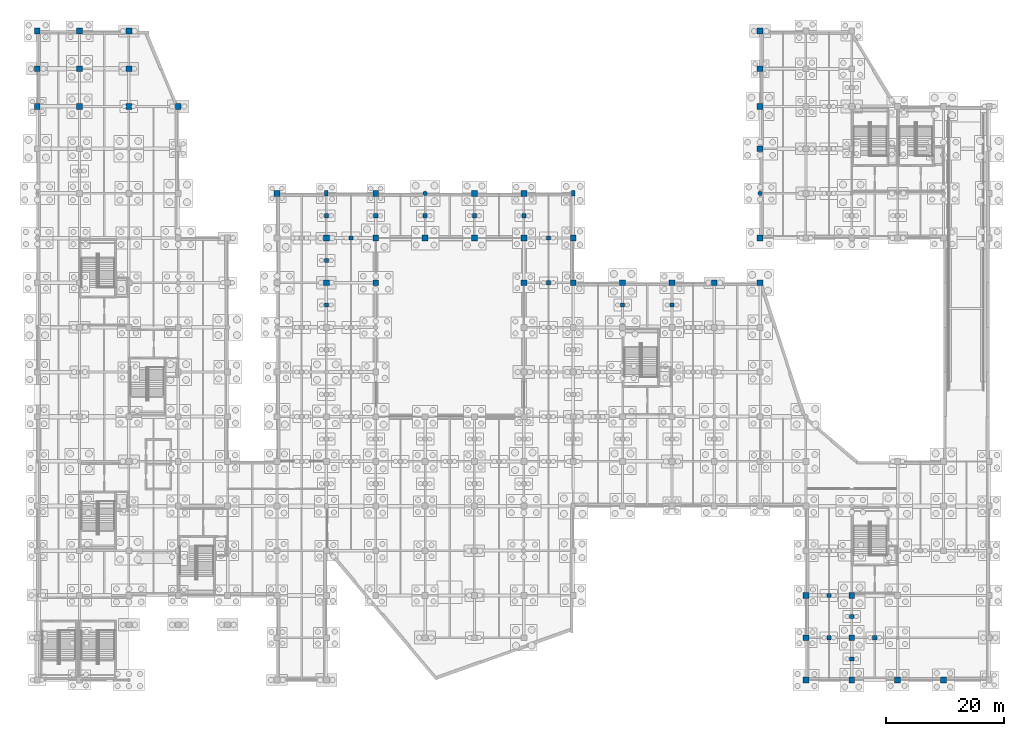
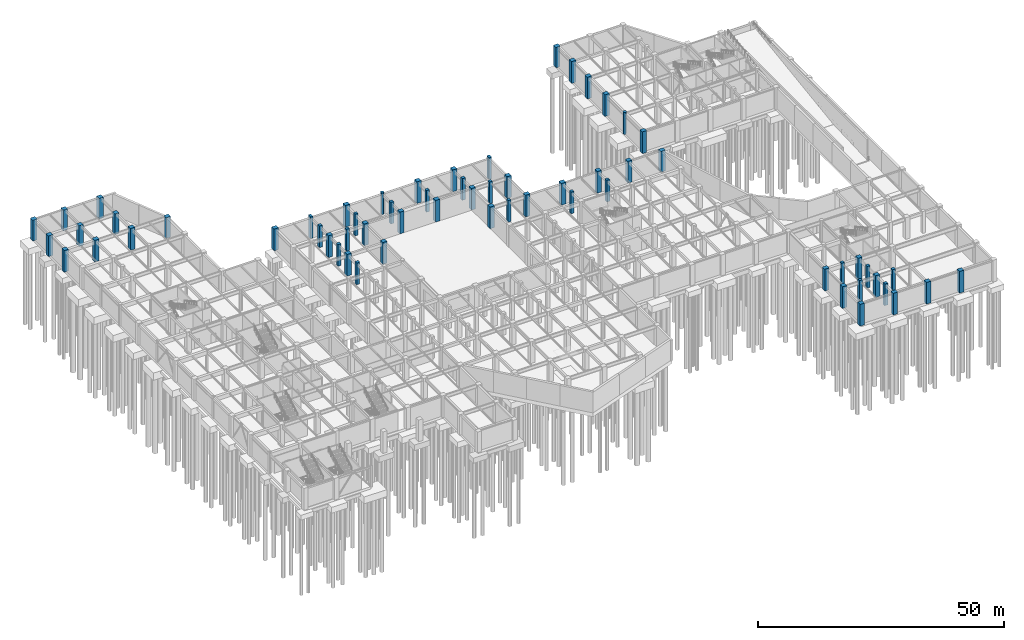
# One storey, part 19 of 52: 62 columns.
"""IFC4 building model written with IfcOpenShell, lengths in metres."""

from ifc_helpers import new_model, si_unit, direction, frame, origin, origin_2d, place, context, subcontext, project, spatial, rectangle, circle, extrude, material, material_profile, profile_set, type_object, element, save


model = new_model("IFC4")

# Units and contexts
model_context = context("Model", 3, precision=1e-05, world=origin(), true_north=direction((0.0, 1.0)))
body_context = subcontext(model_context, "Body", "Model", "MODEL_VIEW")
ifc_project = project(units=[si_unit("LENGTHUNIT", "METRE"), si_unit("AREAUNIT", "SQUARE_METRE"), si_unit("VOLUMEUNIT", "CUBIC_METRE"), si_unit("PLANEANGLEUNIT", "RADIAN"), si_unit("MASSUNIT", "GRAM", prefix="KILO")], contexts=[model_context])

# Site, building, storey
site_placement = place(None, origin())
site = spatial("IfcSite", under=ifc_project, at=site_placement, CompositionType="ELEMENT")
building_placement = place(site_placement, origin())
building = spatial("IfcBuilding", under=site, at=building_placement, Name="Xicomal Pleat Aquarium", CompositionType="ELEMENT")
storey_placement = place(building_placement, frame((0.0, 0.0, -5.39990234375)))
storey = spatial("IfcBuildingStorey", under=building, at=storey_placement, Name="B1", CompositionType="ELEMENT", Elevation=-5.39990234375)

# Columns
ifc_material_1 = material(Name="Concrete C40/50", Category="concrete")
ifc_material_profile_1 = material_profile(ifc_material_1, rectangle(XDim=1.0, YDim=1.0, at=origin_2d()), Name="RC 1000x1000")
ifc_profile_set_1 = profile_set([ifc_material_profile_1], Name="Concrete C40/50")
column_type_1 = type_object("IfcColumnType", Name="COL-RC-1000x1000", PredefinedType="COLUMN", material=ifc_profile_set_1)
column_1_placement = place(storey_placement, frame((3.0, 98.39990234375, 0.0), z_axis=(0.0, 0.0, 1.0), x_axis=(1.0, 0.0, 0.0)))
element("IfcColumn", 1, at=column_1_placement, inside=storey, type_object=column_type_1, Name="B1 column 01/P", PredefinedType="COLUMN", context=body_context, shape_type="SweptSolid", body=[
    extrude(rectangle(XDim=1.0, YDim=1.0, at=origin_2d()), origin(), (0.0, 0.0, 1.0), 5.39990234375),
])
for number, where, z_axis, x_axis, name in (
    (2, (3.0, 104.800048828125, 0.0), (0.0, 0.0, 1.0), (1.0, 0.0, 0.0), "B1 column 01/Q"),
    (3, (3.0, 111.199951171875, 0.0), (0.0, 0.0, 1.0), (1.0, 0.0, 0.0), "B1 column 01/R"),
):
    element("IfcColumn", number, at=place(storey_placement, frame(where, z_axis=z_axis, x_axis=x_axis)), inside=storey, type_object=column_type_1, Name=name, PredefinedType="COLUMN", context=body_context, shape_type="SweptSolid", body=[
        extrude(rectangle(XDim=1.0, YDim=1.0, at=origin_2d()), origin(), (0.0, 0.0, 1.0), 5.139892578125),
    ])
column_2_placement = place(storey_placement, frame((10.199951171875, 98.39990234375, 0.0), z_axis=(0.0, 0.0, 1.0), x_axis=(1.0, 0.0, 0.0)))
element("IfcColumn", 4, at=column_2_placement, inside=storey, type_object=column_type_1, Name="B1 column 02/P", PredefinedType="COLUMN", context=body_context, shape_type="SweptSolid", body=[
    extrude(rectangle(XDim=1.0, YDim=1.0, at=origin_2d()), origin(), (0.0, 0.0, 1.0), 5.39990234375),
])
for number, where, z_axis, x_axis, name in (
    (5, (10.199951171875, 104.800048828125, 0.0), (0.0, 0.0, 1.0), (1.0, 0.0, 0.0), "B1 column 02/Q"),
    (6, (10.199951171875, 111.199951171875, 0.0), (0.0, 0.0, 1.0), (1.0, 0.0, 0.0), "B1 column 02/R"),
):
    element("IfcColumn", number, at=place(storey_placement, frame(where, z_axis=z_axis, x_axis=x_axis)), inside=storey, type_object=column_type_1, Name=name, PredefinedType="COLUMN", context=body_context, shape_type="SweptSolid", body=[
        extrude(rectangle(XDim=1.0, YDim=1.0, at=origin_2d()), origin(), (0.0, 0.0, 1.0), 5.139892578125),
    ])
column_3_placement = place(storey_placement, frame((18.60009765625, 98.39990234375, 0.0), z_axis=(0.0, 0.0, 1.0), x_axis=(1.0, 0.0, 0.0)))
element("IfcColumn", 7, at=column_3_placement, inside=storey, type_object=column_type_1, Name="B1 column 03/P", PredefinedType="COLUMN", context=body_context, shape_type="SweptSolid", body=[
    extrude(rectangle(XDim=1.0, YDim=1.0, at=origin_2d()), origin(), (0.0, 0.0, 1.0), 5.39990234375),
])
for number, where, z_axis, x_axis, name in (
    (8, (18.60009765625, 104.800048828125, 0.0), (0.0, 0.0, 1.0), (1.0, 0.0, 0.0), "B1 column 03/Q"),
    (9, (18.60009765625, 111.199951171875, 0.0), (0.0, 0.0, 1.0), (1.0, 0.0, 0.0), "B1 column 03/R"),
    (10, (27.0, 98.39990234375, 0.0), (0.0, 0.0, 1.0), (1.0, 0.0, 0.0), "B1 column 04/P"),
):
    element("IfcColumn", number, at=place(storey_placement, frame(where, z_axis=z_axis, x_axis=x_axis)), inside=storey, type_object=column_type_1, Name=name, PredefinedType="COLUMN", context=body_context, shape_type="SweptSolid", body=[
        extrude(rectangle(XDim=1.0, YDim=1.0, at=origin_2d()), origin(), (0.0, 0.0, 1.0), 5.139892578125),
    ])
for number, where, z_axis, x_axis, name in (
    (11, (43.800048828125, 83.60009765625, 0.0), (0.0, 0.0, 1.0), (1.0, 0.0, 0.0), "B1 column 06/M"),
    (12, (52.199951171875, 68.39990234375, 0.0), (0.0, 0.0, 1.0), (1.0, 0.0, 0.0), "B1 column 07/K"),
    (13, (52.199951171875, 76.0, 0.0), (0.0, 0.0, 1.0), (1.0, 0.0, 0.0), "B1 column 07/L"),
    (14, (60.60009765625, 68.39990234375, 0.0), (0.0, 0.0, 1.0), (1.0, 0.0, 0.0), "B1 column 08/K"),
    (15, (60.60009765625, 76.0, 0.0), (0.0, 0.0, 1.0), (1.0, 0.0, 0.0), "B1 column 08/L"),
    (16, (60.60009765625, 83.60009765625, 0.0), (0.0, 0.0, 1.0), (1.0, 0.0, 0.0), "B1 column 08/M"),
    (17, (69.0, 76.0, 0.0), (0.0, 0.0, 1.0), (1.0, 0.0, 0.0), "B1 column 09/L"),
    (18, (77.39990234375, 76.0, 0.0), (0.0, 0.0, 1.0), (1.0, 0.0, 0.0), "B1 column 10/L"),
    (19, (77.39990234375, 83.60009765625, 0.0), (0.0, 0.0, 1.0), (1.0, 0.0, 0.0), "B1 column 10/M"),
    (20, (85.800048828125, 68.39990234375, 0.0), (0.0, 0.0, 1.0), (1.0, 0.0, 0.0), "B1 column 11/K"),
    (21, (85.800048828125, 76.0, 0.0), (0.0, 0.0, 1.0), (1.0, 0.0, 0.0), "B1 column 11/L"),
    (22, (85.800048828125, 83.60009765625, 0.0), (0.0, 0.0, 1.0), (1.0, 0.0, 0.0), "B1 column 11/M"),
    (23, (94.199951171875, 68.39990234375, 0.0), (0.0, 0.0, 1.0), (1.0, 0.0, 0.0), "B1 column 12/K"),
    (24, (94.199951171875, 76.0, 0.0), (0.0, 0.0, 1.0), (1.0, 0.0, 0.0), "B1 column 12/L"),
    (25, (102.60009765625, 68.39990234375, 0.0), (0.0, 0.0, 1.0), (1.0, 0.0, 0.0), "B1 column 13/K"),
    (26, (111.0, 68.39990234375, 0.0), (0.0, 0.0, 1.0), (1.0, 0.0, 0.0), "B1 column 14/K"),
    (27, (118.199951171875, 68.39990234375, 0.0), (0.0, 0.0, 1.0), (1.0, 0.0, 0.0), "B1 column 15/K"),
):
    element("IfcColumn", number, at=place(storey_placement, frame(where, z_axis=z_axis, x_axis=x_axis)), inside=storey, type_object=column_type_1, Name=name, PredefinedType="COLUMN", context=body_context, shape_type="SweptSolid", body=[
        extrude(rectangle(XDim=1.0, YDim=1.0, at=origin_2d()), origin(), (0.0, 0.0, 1.0), 5.39990234375),
    ])
column_4_placement = place(storey_placement, frame((126.0, 68.39990234375, 0.0), z_axis=(0.0, 0.0, 1.0), x_axis=(1.0, 0.0, 0.0)))
element("IfcColumn", 28, at=column_4_placement, inside=storey, type_object=column_type_1, Name="B1 column 16/K", PredefinedType="COLUMN", context=body_context, shape_type="SweptSolid", body=[
    extrude(rectangle(XDim=1.0, YDim=1.0, at=origin_2d()), origin(), (0.0, 0.0, 1.0), 5.139892578125),
])
for number, where, z_axis, x_axis, name in (
    (29, (126.0, 76.0, 0.0), (0.0, 0.0, 1.0), (1.0, 0.0, 0.0), "B1 column 16/L"),
    (30, (126.0, 91.199951171875, 0.0), (0.0, 0.0, 1.0), (1.0, 0.0, 0.0), "B1 column 16/N"),
    (31, (126.0, 98.39990234375, 0.0), (0.0, 0.0, 1.0), (1.0, 0.0, 0.0), "B1 column 16/P"),
    (32, (126.0, 104.800048828125, 0.0), (0.0, 0.0, 1.0), (1.0, 0.0, 0.0), "B1 column 16/Q"),
):
    element("IfcColumn", number, at=place(storey_placement, frame(where, z_axis=z_axis, x_axis=x_axis)), inside=storey, type_object=column_type_1, Name=name, PredefinedType="COLUMN", context=body_context, shape_type="SweptSolid", body=[
        extrude(rectangle(XDim=1.0, YDim=1.0, at=origin_2d()), origin(), (0.0, 0.0, 1.0), 5.39990234375),
    ])
column_5_placement = place(storey_placement, frame((126.0, 111.199951171875, 0.0), z_axis=(0.0, 0.0, 1.0), x_axis=(1.0, 0.0, 0.0)))
element("IfcColumn", 33, at=column_5_placement, inside=storey, type_object=column_type_1, Name="B1 column 16/R", PredefinedType="COLUMN", context=body_context, shape_type="SweptSolid", body=[
    extrude(rectangle(XDim=1.0, YDim=1.0, at=origin_2d()), origin(), (0.0, 0.0, 1.0), 5.0498046875),
])
for number, where, z_axis, x_axis, name in (
    (34, (133.800048828125, 0.800048828125, 0.0), (0.0, 0.0, 1.0), (1.0, 0.0, 0.0), "B1 column 17/A"),
    (35, (133.800048828125, 8.0, 0.0), (0.0, 0.0, 1.0), (1.0, 0.0, 0.0), "B1 column 17/B"),
    (36, (133.800048828125, 15.199951171875, 0.0), (0.0, 0.0, 1.0), (1.0, 0.0, 0.0), "B1 column 17/C"),
    (37, (141.60009765625, 0.800048828125, 0.0), (0.0, 0.0, 1.0), (1.0, 0.0, 0.0), "B1 column 18/A"),
    (38, (141.60009765625, 8.0, 0.0), (0.0, 0.0, 1.0), (1.0, 0.0, 0.0), "B1 column 18/B"),
    (39, (141.60009765625, 15.199951171875, 0.0), (0.0, 0.0, 1.0), (1.0, 0.0, 0.0), "B1 column 18/C"),
    (40, (149.39990234375, 0.800048828125, 0.0), (0.0, 0.0, 1.0), (1.0, 0.0, 0.0), "B1 column 19/A"),
    (41, (157.199951171875, 0.800048828125, 0.0), (0.0, 0.0, 1.0), (1.0, 0.0, 0.0), "B1 column 20/A"),
):
    element("IfcColumn", number, at=place(storey_placement, frame(where, z_axis=z_axis, x_axis=x_axis)), inside=storey, type_object=column_type_1, Name=name, PredefinedType="COLUMN", context=body_context, shape_type="SweptSolid", body=[
        extrude(rectangle(XDim=1.0, YDim=1.0, at=origin_2d()), origin(), (0.0, 0.0, 1.0), 5.39990234375),
    ])
ifc_material_2 = material(Name="Concrete C40/50", Category="concrete")
ifc_material_profile_2 = material_profile(ifc_material_2, rectangle(XDim=0.60009765625, YDim=0.89990234375, at=origin_2d()), Name="RC 600x900")
ifc_profile_set_2 = profile_set([ifc_material_profile_2], Name="Concrete C40/50")
column_type_2 = type_object("IfcColumnType", Name="COL-RC-600x900", PredefinedType="COLUMN", material=ifc_profile_set_2)
for number, where, z_axis, x_axis, name in (
    (42, (52.199951171875, 83.60009765625, 0.0), (0.0, 0.0, 1.0), (1.0, 0.0, 0.0), "B1 column 07/M"),
    (43, (94.199951171875, 83.60009765625, 0.0), (0.0, 0.0, 1.0), (1.0, 0.0, 0.0), "B1 column 12/M"),
):
    element("IfcColumn", number, at=place(storey_placement, frame(where, z_axis=z_axis, x_axis=x_axis)), inside=storey, type_object=column_type_2, Name=name, PredefinedType="COLUMN", context=body_context, shape_type="SweptSolid", body=[
        extrude(rectangle(XDim=0.60009765625, YDim=0.89990234375, at=origin_2d()), origin(), (0.0, 0.0, 1.0), 5.39990234375),
    ])
ifc_material_3 = material(Name="Concrete C40/50", Category="concrete")
ifc_material_profile_3 = material_profile(ifc_material_3, rectangle(XDim=0.699951171875, YDim=0.699951171875, at=origin_2d()), Name="RC 700x700")
ifc_profile_set_3 = profile_set([ifc_material_profile_3], Name="Concrete C40/50")
column_type_3 = type_object("IfcColumnType", Name="COL-RC-700x700", PredefinedType="COLUMN", material=ifc_profile_set_3)
for number, where, z_axis, x_axis, name in (
    (44, (56.39990234375, 76.0, 0.0), (0.0, 0.0, 1.0), (1.0, 0.0, 0.0), "B1 intermediate support column SUB-10"),
    (45, (90.0, 68.39990234375, 0.0), (0.0, 0.0, 1.0), (1.0, 0.0, 0.0), "B1 intermediate support column SUB-18"),
    (46, (90.0, 76.0, 0.0), (0.0, 0.0, 1.0), (1.0, 0.0, 0.0), "B1 intermediate support column SUB-19"),
    (47, (137.699951171875, 8.0, 0.0), (0.0, 0.0, 1.0), (1.0, 0.0, 0.0), "B1 intermediate support column SUB-24"),
    (48, (137.699951171875, 15.199951171875, 0.0), (0.0, 0.0, 1.0), (1.0, 0.0, 0.0), "B1 intermediate support column SUB-25"),
    (49, (145.5, 8.0, 0.0), (0.0, 0.0, 1.0), (1.0, 0.0, 0.0), "B1 intermediate support column SUB-30"),
    (50, (52.199951171875, 64.60009765625, 0.0), (0.0, 0.0, 1.0), (1.0, 0.0, 0.0), "B1 intermediate support column SUB-38"),
    (51, (52.199951171875, 72.199951171875, 0.0), (0.0, 0.0, 1.0), (1.0, 0.0, 0.0), "B1 intermediate support column SUB-39"),
    (52, (52.199951171875, 79.800048828125, 0.0), (0.0, 0.0, 1.0), (1.0, 0.0, 0.0), "B1 intermediate support column SUB-40"),
    (53, (60.60009765625, 79.800048828125, 0.0), (0.0, 0.0, 1.0), (1.0, 0.0, 0.0), "B1 intermediate support column SUB-43"),
    (54, (69.0, 79.800048828125, 0.0), (0.0, 0.0, 1.0), (1.0, 0.0, 0.0), "B1 intermediate support column SUB-46"),
    (55, (77.39990234375, 79.800048828125, 0.0), (0.0, 0.0, 1.0), (1.0, 0.0, 0.0), "B1 intermediate support column SUB-49"),
    (56, (85.800048828125, 79.800048828125, 0.0), (0.0, 0.0, 1.0), (1.0, 0.0, 0.0), "B1 intermediate support column SUB-52"),
    (57, (102.60009765625, 64.60009765625, 0.0), (0.0, 0.0, 1.0), (1.0, 0.0, 0.0), "B1 intermediate support column SUB-57"),
    (58, (111.0, 64.60009765625, 0.0), (0.0, 0.0, 1.0), (1.0, 0.0, 0.0), "B1 intermediate support column SUB-59"),
    (59, (141.60009765625, 4.39990234375, 0.0), (0.0, 0.0, 1.0), (1.0, 0.0, 0.0), "B1 intermediate support column SUB-61"),
    (60, (141.60009765625, 11.60009765625, 0.0), (0.0, 0.0, 1.0), (1.0, 0.0, 0.0), "B1 intermediate support column SUB-62"),
):
    element("IfcColumn", number, at=place(storey_placement, frame(where, z_axis=z_axis, x_axis=x_axis)), inside=storey, type_object=column_type_3, Name=name, PredefinedType="COLUMN", context=body_context, shape_type="SweptSolid", body=[
        extrude(rectangle(XDim=0.699951171875, YDim=0.699951171875, at=origin_2d()), origin(), (0.0, 0.0, 1.0), 5.39990234375),
    ])
ifc_material_4 = material(Name="Concrete C40/50", Category="concrete")
ifc_material_profile_4 = material_profile(ifc_material_4, circle(Radius=0.375, at=origin_2d()), Name="RCC D750")
ifc_profile_set_4 = profile_set([ifc_material_profile_4], Name="Concrete C40/50")
column_type_4 = type_object("IfcColumnType", Name="COL-RCC-D750", PredefinedType="COLUMN", material=ifc_profile_set_4)
for number, where, z_axis, x_axis, name in (
    (61, (69.0, 83.60009765625, 0.0), (0.0, 0.0, 1.0), (1.0, 0.0, 0.0), "B1 column 09/M"),
    (62, (126.0, 83.60009765625, 0.0), (0.0, 0.0, 1.0), (1.0, 0.0, 0.0), "B1 column 16/M"),
):
    element("IfcColumn", number, at=place(storey_placement, frame(where, z_axis=z_axis, x_axis=x_axis)), inside=storey, type_object=column_type_4, Name=name, PredefinedType="COLUMN", context=body_context, shape_type="SweptSolid", body=[
        extrude(circle(Radius=0.375, at=origin_2d()), origin(), (0.0, 0.0, 1.0), 5.39990234375),
    ])

save(model, "model.ifc")
